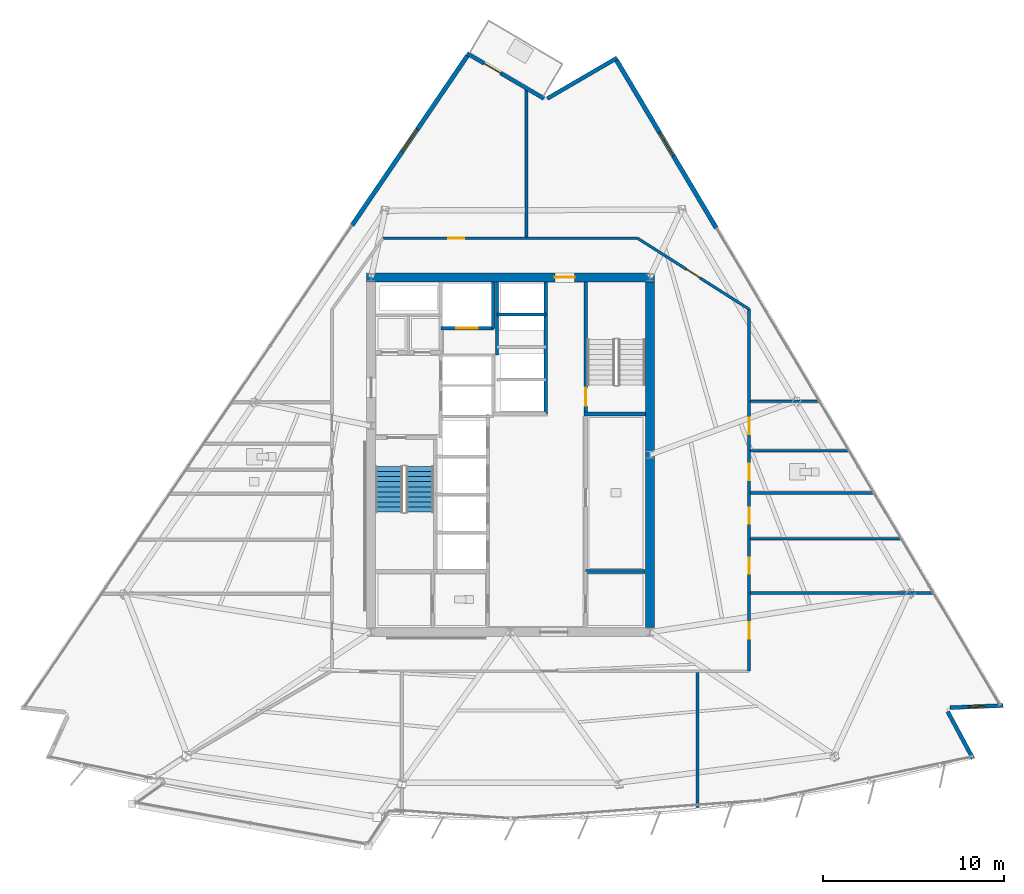
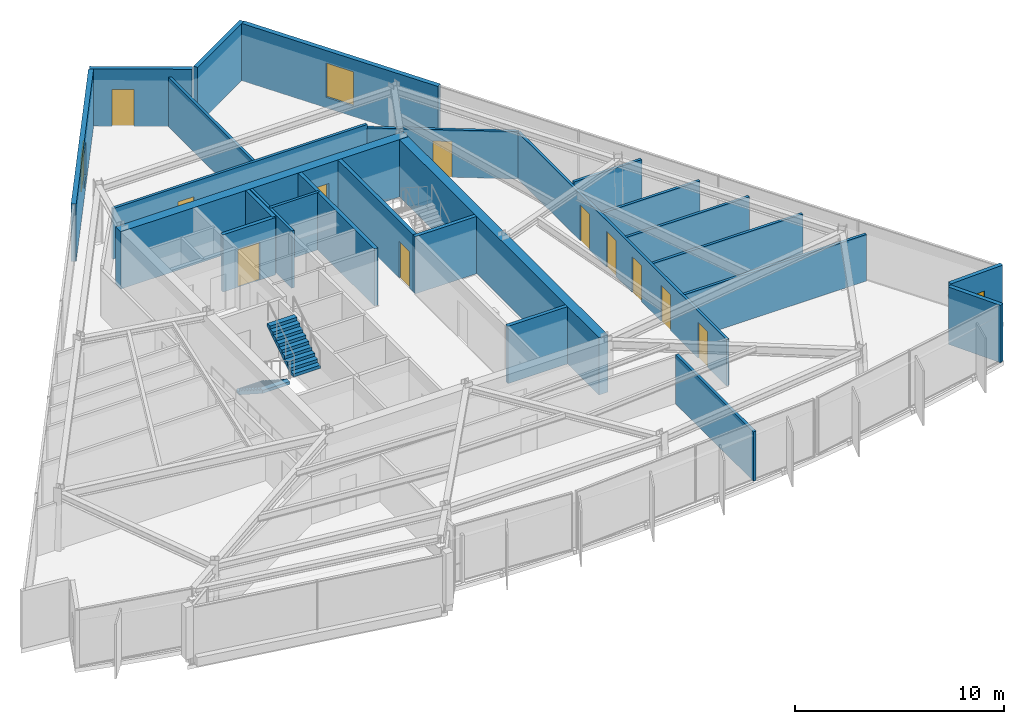
# One storey, part 10 of 16: 26 walls, 11 doors, 3 windows, 2 stair flights, 14 openings, 1 element without a shape of its own.
"""IFC4 building model written with IfcOpenShell, lengths in metres."""

from ifc_helpers import new_model, si_unit, direction, frame, frame_2d, origin, place, context, subcontext, project, spatial, polyline, rectangle, outline, extrude, material, layer, layer_set, type_object, element, fill, aggregate, save


model = new_model("IFC4")

# Units and contexts
model_context = context("Model", 3, precision=1e-05, world=origin(), true_north=direction((0.0, 1.0)))
body_context = subcontext(model_context, "Body", "Model", "MODEL_VIEW")
ifc_project = project(units=[si_unit("LENGTHUNIT", "METRE"), si_unit("AREAUNIT", "SQUARE_METRE"), si_unit("VOLUMEUNIT", "CUBIC_METRE"), si_unit("PLANEANGLEUNIT", "RADIAN"), si_unit("MASSUNIT", "GRAM", prefix="KILO")], contexts=[model_context])

# Site, building, storey
site_placement = place(None, origin())
site = spatial("IfcSite", under=ifc_project, at=site_placement, CompositionType="ELEMENT")
building_placement = place(site_placement, origin())
building = spatial("IfcBuilding", under=site, at=building_placement, Name="Savorim Split Tower", CompositionType="ELEMENT")
storey_placement = place(building_placement, frame((0.0, 0.0, 149.39990234375)))
storey = spatial("IfcBuildingStorey", under=building, at=storey_placement, Name="L39", CompositionType="ELEMENT", Elevation=149.39990234375)

# Wall, opening, door
ifc_material_1 = material(Name="Concrete C60/75", Category="concrete")
ifc_layer_1 = layer(ifc_material_1, 0.5)
ifc_layer_set_1 = layer_set([ifc_layer_1], Name="WAL-COR-SH500")
wall_type_1 = type_object("IfcWallType", Name="WAL-COR-SH500", PredefinedType="SHEAR", material=ifc_layer_set_1)
wall_1_placement = place(storey_placement, frame((7.949951171875, 10.199951171875, 0.0), z_axis=(0.0, 0.0, 1.0), x_axis=(-1.0, 0.0, 0.0)))
wall_1 = element("IfcWall", 1, at=wall_1_placement, inside=storey, type_object=wall_type_1, Name="L39 Offset Core North Shear Wall", PredefinedType="SHEAR", context=body_context, shape_type="SweptSolid", body=[
    extrude(rectangle(XDim=15.89990234375, YDim=0.5, at=frame_2d((7.949951171875, 0.0))), origin(), (0.0, 0.0, 1.0), 3.35009765625),
])
opening_1_placement = place(wall_1_placement, frame((4.39990234375, 0.0, 0.0)))
opening_1 = element("IfcOpeningElement", 2, at=opening_1_placement, cuts=wall_1, Name="Opening DI-03", PredefinedType="OPENING", context=body_context, shape_type="SweptSolid", body=[
    extrude(rectangle(XDim=1.10009765625, YDim=2.14990234375, at=frame_2d((0.550048828125, 1.074951171875))), frame((0.0, 0.260009765625, 0.0), z_axis=(0.0, -1.0, 0.0), x_axis=(1.0, 0.0, 0.0)), (0.0, 0.0, 1.0), 0.52001953125),
])
ifc_material_2 = material(Name="Timber Fire Door Leaf", Category="wood")
door_type_1 = type_object("IfcDoorType", Name="DOR-FIR-1100", OperationType="NOTDEFINED", PredefinedType="DOOR", material=ifc_material_2)
door_1_placement = place(opening_1_placement, origin())
door_1 = element("IfcDoor", 3, at=door_1_placement, inside=storey, type_object=door_type_1, Name="DOR-L39-COR-NLOB - L39 North Corridor Lobby Fire Door", OperationType="SINGLE_SWING_RIGHT", OverallHeight=2.14990234375, OverallWidth=1.10009765625, PredefinedType="DOOR", context=body_context, shape_type="SweptSolid", body=[
    extrude(rectangle(XDim=1.10009765625, YDim=2.14990234375, at=frame_2d((0.550048828125, 1.074951171875))), frame((0.0, 0.02490234375, 0.0), z_axis=(0.0, -1.0, 0.0), x_axis=(1.0, 0.0, 0.0)), (0.0, 0.0, 1.0), 0.050048828125),
])
fill(opening_1, door_1)

# Walls
wall_2_placement = place(storey_placement, frame((7.699951171875, 9.949951171875, 0.0), z_axis=(0.0, 0.0, 1.0), x_axis=(0.0, -1.0, 0.0)))
element("IfcWall", 4, at=wall_2_placement, inside=storey, type_object=wall_type_1, Name="L39 Offset Core East Shear Wall", PredefinedType="SHEAR", context=body_context, shape_type="SweptSolid", body=[
    extrude(rectangle(XDim=19.099853515625, YDim=0.5, at=frame_2d((9.5498046875, 0.0))), origin(), (0.0, 0.0, 1.0), 3.35009765625),
])
ifc_material_3 = material(Name="Precast concrete C40/50", Category="concrete")
ifc_layer_2 = layer(ifc_material_3, 0.219970703125)
ifc_layer_set_2 = layer_set([ifc_layer_2], Name="WAL-EXT-CRN220")
wall_type_2 = type_object("IfcWallType", Name="WAL-EXT-CRN220", PredefinedType="SOLIDWALL", material=ifc_layer_set_2)
wall_3_placement = place(storey_placement, frame((24.15478515625, -13.789794921875, 0.0), z_axis=(0.0, 0.0, 1.0), x_axis=(0.472795751791, -0.881172047383, 0.0)))
element("IfcWall", 5, at=wall_3_placement, inside=storey, type_object=wall_type_2, Name="L39 Notched Corner Facade Wall SE1", PredefinedType="SOLIDWALL", context=body_context, shape_type="SweptSolid", body=[
    extrude(rectangle(XDim=2.948486328125, YDim=0.219970703125, at=frame_2d((1.47412109375, 0.0))), origin(), (0.0, 0.0, 1.0), 3.35009765625),
])

# Wall, opening, window
wall_4_placement = place(storey_placement, frame((27.219482421875, -13.450927734375, 0.0), z_axis=(0.0, 0.0, 1.0), x_axis=(-0.999095615947, -0.042519997593, 0.0)))
wall_4 = element("IfcWall", 6, at=wall_4_placement, inside=storey, type_object=wall_type_2, Name="L39 Notched Corner Facade Wall SE", PredefinedType="SOLIDWALL", context=body_context, shape_type="SweptSolid", body=[
    extrude(rectangle(XDim=2.945556640625, YDim=0.219970703125, at=frame_2d((1.47265625, 0.0))), origin(), (0.0, 0.0, 1.0), 3.35009765625),
])
opening_2_placement = place(wall_4_placement, frame((1.022705078125, 0.0, 0.6201171875)))
opening_2 = element("IfcOpeningElement", 7, at=opening_2_placement, cuts=wall_4, Name="Opening WN-10", PredefinedType="OPENING", context=body_context, shape_type="SweptSolid", body=[
    extrude(rectangle(XDim=0.89990234375, YDim=1.60009765625, at=frame_2d((0.449951171875, 0.800048828125))), frame((0.0, 0.119873046875, 0.0), z_axis=(0.0, -1.0, 0.0), x_axis=(1.0, 0.0, 0.0)), (0.0, 0.0, 1.0), 0.239990234375),
])
ifc_material_4 = material(Name="Low-E Operable Double Glazing", Category="glass")
window_type_1 = type_object("IfcWindowType", Name="WIN-TWR-900x1600", PartitioningType="SINGLE_PANEL", PredefinedType="WINDOW", material=ifc_material_4)
window_1_placement = place(opening_2_placement, origin())
window_1 = element("IfcWindow", 8, at=window_1_placement, inside=storey, type_object=window_type_1, Name="L39 Operable Corner Window SE", OverallHeight=1.60009765625, OverallWidth=0.89990234375, PartitioningType="SINGLE_PANEL", PredefinedType="WINDOW", context=body_context, shape_type="SweptSolid", body=[
    extrude(rectangle(XDim=0.89990234375, YDim=1.60009765625, at=frame_2d((0.449951171875, 0.800048828125))), frame((0.0, 0.030029296875, 0.0), z_axis=(0.0, -1.0, 0.0), x_axis=(1.0, 0.0, 0.0)), (0.0, 0.0, 1.0), 0.06005859375),
])
fill(opening_2, window_1)

# Wall
wall_5_placement = place(storey_placement, frame((2.03857421875, 20.079345703125, 0.0), z_axis=(0.0, 0.0, 1.0), x_axis=(0.86398603623, 0.503515768571, 0.0)))
element("IfcWall", 9, at=wall_5_placement, inside=storey, type_object=wall_type_2, Name="L39 Notched Corner Facade Wall NE1", PredefinedType="SOLIDWALL", context=body_context, shape_type="SweptSolid", body=[
    extrude(rectangle(XDim=4.4443359375, YDim=0.219970703125, at=frame_2d((2.22216796875, 0.0))), origin(), (0.0, 0.0, 1.0), 3.35009765625),
])

# Wall, opening, door
wall_6_placement = place(storey_placement, frame((-2.384521484375, 22.5673828125, 0.0), z_axis=(0.0, 0.0, 1.0), x_axis=(0.8621258938, -0.506694131839, 0.0)))
wall_6 = element("IfcWall", 10, at=wall_6_placement, inside=storey, type_object=wall_type_2, Name="L39 Notched Corner Facade Wall N", PredefinedType="SOLIDWALL", context=body_context, shape_type="SweptSolid", body=[
    extrude(rectangle(XDim=4.909912109375, YDim=0.219970703125, at=frame_2d((2.455078125, 0.0))), origin(), (0.0, 0.0, 1.0), 3.35009765625),
])
opening_3_placement = place(wall_6_placement, frame((1.079833984375, 0.0, 0.0)))
opening_3 = element("IfcOpeningElement", 11, at=opening_3_placement, cuts=wall_6, Name="Opening DB-01", PredefinedType="OPENING", context=body_context, shape_type="SweptSolid", body=[
    extrude(rectangle(XDim=1.050048828125, YDim=2.14990234375, at=frame_2d((0.52490234375, 1.074951171875))), frame((0.0, 0.119873046875, 0.0), z_axis=(0.0, -1.0, 0.0), x_axis=(1.0, 0.0, 0.0)), (0.0, 0.0, 1.0), 0.239990234375),
])
ifc_material_5 = material(Name="Charcoal Anodised Aluminium", Category="aluminium")
door_type_2 = type_object("IfcDoorType", Name="DOR-BAL-1050", OperationType="NOTDEFINED", PredefinedType="DOOR", material=ifc_material_5)
door_2_placement = place(opening_3_placement, origin())
door_2 = element("IfcDoor", 12, at=door_2_placement, inside=storey, type_object=door_type_2, Name="DOR-L39-TBAL-N - L39 Planted Tree Balcony Door N", OperationType="SINGLE_SWING_RIGHT", OverallHeight=2.14990234375, OverallWidth=1.050048828125, PredefinedType="DOOR", context=body_context, shape_type="SweptSolid", body=[
    extrude(rectangle(XDim=1.050048828125, YDim=2.14990234375, at=frame_2d((0.52490234375, 1.074951171875))), frame((0.0, 0.02490234375, 0.0), z_axis=(0.0, -1.0, 0.0), x_axis=(1.0, 0.0, 0.0)), (0.0, 0.0, 1.0), 0.050048828125),
])
fill(opening_3, door_2)

# Wall, opening, window
ifc_layer_3 = layer(ifc_material_3, 0.25)
ifc_layer_set_3 = layer_set([ifc_layer_3], Name="WAL-EXT-SPN250")
wall_type_3 = type_object("IfcWallType", Name="WAL-EXT-SPN250", PredefinedType="SOLIDWALL", material=ifc_layer_set_3)
wall_7_placement = place(storey_placement, frame((5.86181640625, 22.1904296875, 0.0), z_axis=(0.0, 0.0, 1.0), x_axis=(0.511083986456, -0.859530778267, 0.0)))
wall_7 = element("IfcWall", 13, at=wall_7_placement, inside=storey, type_object=wall_type_3, Name="L39 East Operable Window Pier", PredefinedType="SOLIDWALL", context=body_context, shape_type="SweptSolid", body=[
    extrude(rectangle(XDim=10.778076171875, YDim=0.25, at=frame_2d((5.38916015625, 0.0))), origin(), (0.0, 0.0, 1.0), 3.35009765625),
])
opening_4_placement = place(wall_7_placement, frame((4.63916015625, 0.0, 0.6201171875)))
opening_4 = element("IfcOpeningElement", 14, at=opening_4_placement, cuts=wall_7, Name="Opening WN-06", PredefinedType="OPENING", context=body_context, shape_type="SweptSolid", body=[
    extrude(rectangle(XDim=1.5, YDim=2.0, at=frame_2d((0.75, 1.0))), frame((0.0, 0.135009765625, 0.0), z_axis=(0.0, -1.0, 0.0), x_axis=(1.0, 0.0, 0.0)), (0.0, 0.0, 1.0), 0.27001953125),
])
window_type_2 = type_object("IfcWindowType", Name="WIN-TWR-1500x2000", PartitioningType="SINGLE_PANEL", PredefinedType="WINDOW", material=ifc_material_4)
window_2_placement = place(opening_4_placement, origin())
window_2 = element("IfcWindow", 15, at=window_2_placement, inside=storey, type_object=window_type_2, Name="L39 East Operable Ventilation Window", OverallHeight=2.0, OverallWidth=1.5, PartitioningType="SINGLE_PANEL", PredefinedType="WINDOW", context=body_context, shape_type="SweptSolid", body=[
    extrude(rectangle(XDim=1.5, YDim=2.0, at=frame_2d((0.75, 1.0))), frame((0.0, 0.030029296875, 0.0), z_axis=(0.0, -1.0, 0.0), x_axis=(1.0, 0.0, 0.0)), (0.0, 0.0, 1.0), 0.06005859375),
])
fill(opening_4, window_2)

wall_8_placement = place(storey_placement, frame((-8.75048828125, 13.080810546875, 0.0), z_axis=(0.0, 0.0, 1.0), x_axis=(0.562463958751, 0.82682180372, 0.0)))
wall_8 = element("IfcWall", 16, at=wall_8_placement, inside=storey, type_object=wall_type_3, Name="L39 West Operable Window Pier", PredefinedType="SOLIDWALL", context=body_context, shape_type="SweptSolid", body=[
    extrude(rectangle(XDim=11.321533203125, YDim=0.25, at=frame_2d((5.66064453125, 0.0))), origin(), (0.0, 0.0, 1.0), 3.35009765625),
])
opening_5_placement = place(wall_8_placement, frame((4.91064453125, 0.0, 0.6201171875)))
opening_5 = element("IfcOpeningElement", 17, at=opening_5_placement, cuts=wall_8, Name="Opening WN-06", PredefinedType="OPENING", context=body_context, shape_type="SweptSolid", body=[
    extrude(rectangle(XDim=1.5, YDim=2.0, at=frame_2d((0.75, 1.0))), frame((0.0, 0.135009765625, 0.0), z_axis=(0.0, -1.0, 0.0), x_axis=(1.0, 0.0, 0.0)), (0.0, 0.0, 1.0), 0.27001953125),
])
window_3_placement = place(opening_5_placement, origin())
window_3 = element("IfcWindow", 18, at=window_3_placement, inside=storey, type_object=window_type_2, Name="L39 West Operable Ventilation Window", OverallHeight=2.0, OverallWidth=1.5, PartitioningType="SINGLE_PANEL", PredefinedType="WINDOW", context=body_context, shape_type="SweptSolid", body=[
    extrude(rectangle(XDim=1.5, YDim=2.0, at=frame_2d((0.75, 1.0))), frame((0.0, 0.030029296875, 0.0), z_axis=(0.0, -1.0, 0.0), x_axis=(1.0, 0.0, 0.0)), (0.0, 0.0, 1.0), 0.06005859375),
])
fill(opening_5, window_3)

# Wall, opening, door
ifc_material_6 = material(Name="Concrete C50/60", Category="concrete")
ifc_layer_4 = layer(ifc_material_6, 0.199951171875)
ifc_layer_set_4 = layer_set([ifc_layer_4], Name="WAL-INT-RC200")
wall_type_4 = type_object("IfcWallType", Name="WAL-INT-RC200", PredefinedType="SOLIDWALL", material=ifc_layer_set_4)
wall_9_placement = place(storey_placement, frame((4.14990234375, 2.75, 0.0), z_axis=(0.0, 0.0, 1.0), x_axis=(0.0, 1.0, 0.0)))
wall_9 = element("IfcWall", 19, at=wall_9_placement, inside=storey, type_object=wall_type_4, Name="L39 Structural Shaft Wall W-L39-CR07", PredefinedType="SOLIDWALL", context=body_context, shape_type="SweptSolid", body=[
    extrude(rectangle(XDim=7.199951171875, YDim=0.199951171875, at=frame_2d((3.60009765625, 0.0))), origin(), (0.0, 0.0, 1.0), 3.35009765625),
])
opening_6_placement = place(wall_9_placement, frame((0.35009765625, 0.0, 0.0)))
opening_6 = element("IfcOpeningElement", 20, at=opening_6_placement, cuts=wall_9, Name="Opening DI-04", PredefinedType="OPENING", context=body_context, shape_type="SweptSolid", body=[
    extrude(rectangle(XDim=1.0, YDim=2.14990234375, at=frame_2d((0.5, 1.074951171875))), frame((0.0, 0.10986328125, 0.0), z_axis=(0.0, -1.0, 0.0), x_axis=(1.0, 0.0, 0.0)), (0.0, 0.0, 1.0), 0.219970703125),
])
door_type_3 = type_object("IfcDoorType", Name="DOR-FIR-1000", OperationType="NOTDEFINED", PredefinedType="DOOR", material=ifc_material_2)
door_3_placement = place(opening_6_placement, origin())
door_3 = element("IfcDoor", 21, at=door_3_placement, inside=storey, type_object=door_type_3, Name="DR-L39-ST2 - L39 Stair ST-2 Enclosure Door", OperationType="SINGLE_SWING_RIGHT", OverallHeight=2.14990234375, OverallWidth=1.0, PredefinedType="DOOR", context=body_context, shape_type="SweptSolid", body=[
    extrude(rectangle(XDim=1.0, YDim=2.14990234375, at=frame_2d((0.5, 1.074951171875))), frame((0.0, 0.02490234375, 0.0), z_axis=(0.0, -1.0, 0.0), x_axis=(1.0, 0.0, 0.0)), (0.0, 0.0, 1.0), 0.050048828125),
])
fill(opening_6, door_3)

# Wall
wall_10_placement = place(storey_placement, frame((4.050048828125, 2.64990234375, 0.0), z_axis=(0.0, 0.0, 1.0), x_axis=(1.0, 0.0, 0.0)))
element("IfcWall", 22, at=wall_10_placement, inside=storey, type_object=wall_type_4, Name="L39 Structural Shaft Wall W-L39-CR08", PredefinedType="SOLIDWALL", context=body_context, shape_type="SweptSolid", body=[
    extrude(rectangle(XDim=3.39990234375, YDim=0.199951171875, at=frame_2d((1.699951171875, 0.0))), origin(), (0.0, 0.0, 1.0), 3.35009765625),
])

# Wall, opening, door
wall_11_placement = place(storey_placement, frame((-3.85009765625, 7.3798828125, 0.0), z_axis=(0.0, 0.0, 1.0), x_axis=(1.0, 0.0, 0.0)))
wall_11 = element("IfcWall", 23, at=wall_11_placement, inside=storey, type_object=wall_type_4, Name="L39 Partition W-L39-SVLS", PredefinedType="SOLIDWALL", context=body_context, shape_type="SweptSolid", body=[
    extrude(rectangle(XDim=2.900146484375, YDim=0.199951171875, at=frame_2d((1.4501953125, 0.0))), origin(), (0.0, 0.0, 1.0), 3.35009765625),
])
opening_7_placement = place(wall_11_placement, frame((0.85009765625, 0.0, 0.0)))
opening_7 = element("IfcOpeningElement", 24, at=opening_7_placement, cuts=wall_11, Name="Opening LD-SV", PredefinedType="OPENING", context=body_context, shape_type="SweptSolid", body=[
    extrude(rectangle(XDim=1.199951171875, YDim=2.199951171875, at=frame_2d((0.60009765625, 1.10009765625))), frame((0.0, 0.10986328125, 0.0), z_axis=(0.0, -1.0, 0.0), x_axis=(1.0, 0.0, 0.0)), (0.0, 0.0, 1.0), 0.219970703125),
])
door_type_4 = type_object("IfcDoorType", Name="DOR-SLD-SV1200", OperationType="NOTDEFINED", PredefinedType="DOOR", material=ifc_material_5)
door_4_placement = place(opening_7_placement, origin())
door_4 = element("IfcDoor", 25, at=door_4_placement, inside=storey, type_object=door_type_4, Name="DR-L39-LD-SVL1 - L39 Service Lift SVL-1 Sliding Landing Door", OperationType="DOUBLE_DOOR_SLIDING", OverallHeight=2.199951171875, OverallWidth=1.199951171875, PredefinedType="DOOR", context=body_context, shape_type="SweptSolid", body=[
    extrude(rectangle(XDim=1.199951171875, YDim=2.199951171875, at=frame_2d((0.60009765625, 1.10009765625))), frame((0.0, 0.02490234375, 0.0), z_axis=(0.0, -1.0, 0.0), x_axis=(1.0, 0.0, 0.0)), (0.0, 0.0, 1.0), 0.050048828125),
])
fill(opening_7, door_4)

# Walls
wall_12_placement = place(storey_placement, frame((-0.949951171875, 7.3798828125, 0.0), z_axis=(0.0, 0.0, 1.0), x_axis=(0.0, 1.0, 0.0)))
element("IfcWall", 26, at=wall_12_placement, inside=storey, type_object=wall_type_4, Name="L39 Partition W-L39-SVLE", PredefinedType="SOLIDWALL", context=body_context, shape_type="SweptSolid", body=[
    extrude(rectangle(XDim=2.565185546875, YDim=0.199951171875, at=frame_2d((1.28271484375, 0.0))), origin(), (0.0, 0.0, 1.0), 3.35009765625),
])
wall_13_placement = place(storey_placement, frame((1.949951171875, 2.64990234375, 0.0), z_axis=(0.0, 0.0, 1.0), x_axis=(0.0, 1.0, 0.0)))
element("IfcWall", 27, at=wall_13_placement, inside=storey, type_object=wall_type_4, Name="L39 Partition W-L39-B3FRONT", PredefinedType="SOLIDWALL", context=body_context, shape_type="SweptSolid", body=[
    extrude(rectangle(XDim=7.295166015625, YDim=0.199951171875, at=frame_2d((3.6474609375, 0.0))), origin(), (0.0, 0.0, 1.0), 3.35009765625),
])
wall_14_placement = place(storey_placement, frame((4.14990234375, -6.050048828125, 0.0), z_axis=(0.0, 0.0, 1.0), x_axis=(1.0, 0.0, 0.0)))
element("IfcWall", 28, at=wall_14_placement, inside=storey, type_object=wall_type_4, Name="L39 Partition W-L39-KSEP-E", PredefinedType="SOLIDWALL", context=body_context, shape_type="SweptSolid", body=[
    extrude(rectangle(XDim=3.295166015625, YDim=0.199951171875, at=frame_2d((1.6474609375, 0.0))), origin(), (0.0, 0.0, 1.0), 3.35009765625),
])
ifc_material_7 = material(Name="Acoustic Gypsum Partition Board")
ifc_layer_5 = layer(ifc_material_7, 0.14990234375)
ifc_layer_set_5 = layer_set([ifc_layer_5], Name="WAL-PAR-150")
wall_type_5 = type_object("IfcWallType", Name="WAL-PAR-150", PredefinedType="PARTITIONING", material=ifc_layer_set_5)
wall_15_placement = place(storey_placement, frame((-0.75, 5.919921875, 0.0), z_axis=(0.0, 0.0, 1.0), x_axis=(0.0, 1.0, 0.0)))
element("IfcWall", 29, at=wall_15_placement, inside=storey, type_object=wall_type_5, Name="L39 Partition W-L39-B3WEST", PredefinedType="PARTITIONING", context=body_context, shape_type="SweptSolid", body=[
    extrude(rectangle(XDim=4.025146484375, YDim=0.14990234375, at=frame_2d((2.0126953125, 0.0))), origin(), (0.0, 0.0, 1.0), 3.35009765625),
])
wall_16_placement = place(storey_placement, frame((-0.75, 8.14990234375, 0.0), z_axis=(0.0, 0.0, 1.0), x_axis=(1.0, 0.0, 0.0)))
element("IfcWall", 30, at=wall_16_placement, inside=storey, type_object=wall_type_5, Name="L39 Partition W-L39-B3DIV3", PredefinedType="PARTITIONING", context=body_context, shape_type="SweptSolid", body=[
    extrude(rectangle(XDim=2.699951171875, YDim=0.14990234375, at=frame_2d((1.35009765625, 0.0))), origin(), (0.0, 0.0, 1.0), 3.35009765625),
])

# Wall, opening, door
wall_17_placement = place(storey_placement, frame((-7.041015625, 12.360107421875, 0.0), z_axis=(0.0, 0.0, 1.0), x_axis=(1.0, 0.0, 0.0)))
wall_17 = element("IfcWall", 31, at=wall_17_placement, inside=storey, type_object=wall_type_5, Name="L39 Partition W-L39-COR-03", PredefinedType="PARTITIONING", context=body_context, shape_type="SweptSolid", body=[
    extrude(rectangle(XDim=14.064208984375, YDim=0.14990234375, at=frame_2d((7.0322265625, 0.0))), origin(), (0.0, 0.0, 1.0), 2.965087890625),
])
opening_8_placement = place(wall_17_placement, frame((3.59912109375, 0.0, 0.0)))
opening_8 = element("IfcOpeningElement", 32, at=opening_8_placement, cuts=wall_17, Name="Opening DI-06", PredefinedType="OPENING", context=body_context, shape_type="SweptSolid", body=[
    extrude(rectangle(XDim=0.89990234375, YDim=2.10009765625, at=frame_2d((0.449951171875, 1.050048828125))), frame((0.0, 0.0849609375, 0.0), z_axis=(0.0, -1.0, 0.0), x_axis=(1.0, 0.0, 0.0)), (0.0, 0.0, 1.0), 0.169921875),
])
door_type_5 = type_object("IfcDoorType", Name="DOR-FIR-900", OperationType="NOTDEFINED", PredefinedType="DOOR", material=ifc_material_2)
door_5_placement = place(opening_8_placement, origin())
door_5 = element("IfcDoor", 33, at=door_5_placement, inside=storey, type_object=door_type_5, Name="DR-L39-RM14 - L39 Co-Working Commons Entry Door", OperationType="SINGLE_SWING_LEFT", OverallHeight=2.10009765625, OverallWidth=0.89990234375, PredefinedType="DOOR", context=body_context, shape_type="SweptSolid", body=[
    extrude(rectangle(XDim=0.89990234375, YDim=2.10009765625, at=frame_2d((0.449951171875, 1.050048828125))), frame((0.0, 0.02490234375, 0.0), z_axis=(0.0, -1.0, 0.0), x_axis=(1.0, 0.0, 0.0)), (0.0, 0.0, 1.0), 0.050048828125),
])
fill(opening_8, door_5)

wall_18_placement = place(storey_placement, frame((7.023193359375, 12.360107421875, 0.0), z_axis=(0.0, 0.0, 1.0), x_axis=(0.84376480085, -0.536713108511, 0.0)))
wall_18 = element("IfcWall", 34, at=wall_18_placement, inside=storey, type_object=wall_type_5, Name="L39 Partition W-L39-COR-04", PredefinedType="PARTITIONING", context=body_context, shape_type="SweptSolid", body=[
    extrude(rectangle(XDim=7.296630859375, YDim=0.14990234375, at=frame_2d((3.6484375, 0.0))), origin(), (0.0, 0.0, 1.0), 2.775146484375),
])
opening_9_placement = place(wall_18_placement, frame((3.1982421875, 0.0, 0.0)))
opening_9 = element("IfcOpeningElement", 35, at=opening_9_placement, cuts=wall_18, Name="Opening DI-06", PredefinedType="OPENING", context=body_context, shape_type="SweptSolid", body=[
    extrude(rectangle(XDim=0.89990234375, YDim=2.10009765625, at=frame_2d((0.449951171875, 1.050048828125))), frame((0.0, 0.0849609375, 0.0), z_axis=(0.0, -1.0, 0.0), x_axis=(1.0, 0.0, 0.0)), (0.0, 0.0, 1.0), 0.169921875),
])
door_6_placement = place(opening_9_placement, origin())
door_6 = element("IfcDoor", 36, at=door_6_placement, inside=storey, type_object=door_type_5, Name="DR-L39-RM13 - L39 Co-Working Commons Entry Door", OperationType="SINGLE_SWING_RIGHT", OverallHeight=2.10009765625, OverallWidth=0.89990234375, PredefinedType="DOOR", context=body_context, shape_type="SweptSolid", body=[
    extrude(rectangle(XDim=0.89990234375, YDim=2.10009765625, at=frame_2d((0.449951171875, 1.050048828125))), frame((0.0, 0.02490234375, 0.0), z_axis=(0.0, -1.0, 0.0), x_axis=(1.0, 0.0, 0.0)), (0.0, 0.0, 1.0), 0.050048828125),
])
fill(opening_9, door_6)

# Wall, openings, doors
wall_19_placement = place(storey_placement, frame((13.179931640625, 8.44384765625, 0.0), z_axis=(0.0, 0.0, 1.0), x_axis=(0.0, -1.0, 0.0)))
wall_19 = element("IfcWall", 37, at=wall_19_placement, inside=storey, type_object=wall_type_5, Name="L39 Partition W-L39-COR-05", PredefinedType="PARTITIONING", context=body_context, shape_type="SweptSolid", body=[
    extrude(rectangle(XDim=20.00390625, YDim=0.14990234375, at=frame_2d((10.001953125, 0.0))), origin(), (0.0, 0.0, 1.0), 2.72509765625),
])
opening_10_placement = place(wall_19_placement, frame((17.30322265625, 0.0, 0.0)))
opening_10 = element("IfcOpeningElement", 38, at=opening_10_placement, cuts=wall_19, Name="Opening DI-06", PredefinedType="OPENING", context=body_context, shape_type="SweptSolid", body=[
    extrude(rectangle(XDim=0.89990234375, YDim=2.10009765625, at=frame_2d((0.449951171875, 1.050048828125))), frame((0.0, 0.0849609375, 0.0), z_axis=(0.0, -1.0, 0.0), x_axis=(1.0, 0.0, 0.0)), (0.0, 0.0, 1.0), 0.169921875),
])
opening_11_placement = place(wall_19_placement, frame((13.7314453125, 0.0, 0.0)))
opening_11 = element("IfcOpeningElement", 39, at=opening_11_placement, cuts=wall_19, Name="Opening DI-06", PredefinedType="OPENING", context=body_context, shape_type="SweptSolid", body=[
    extrude(rectangle(XDim=0.89990234375, YDim=2.10009765625, at=frame_2d((0.449951171875, 1.050048828125))), frame((0.0, 0.0849609375, 0.0), z_axis=(0.0, -1.0, 0.0), x_axis=(1.0, 0.0, 0.0)), (0.0, 0.0, 1.0), 0.169921875),
])
opening_12_placement = place(wall_19_placement, frame((10.966796875, 0.0, 0.0)))
opening_12 = element("IfcOpeningElement", 40, at=opening_12_placement, cuts=wall_19, Name="Opening DI-06", PredefinedType="OPENING", context=body_context, shape_type="SweptSolid", body=[
    extrude(rectangle(XDim=0.89990234375, YDim=2.10009765625, at=frame_2d((0.449951171875, 1.050048828125))), frame((0.0, 0.0849609375, 0.0), z_axis=(0.0, -1.0, 0.0), x_axis=(1.0, 0.0, 0.0)), (0.0, 0.0, 1.0), 0.169921875),
])
opening_13_placement = place(wall_19_placement, frame((8.539794921875, 0.0, 0.0)))
opening_13 = element("IfcOpeningElement", 41, at=opening_13_placement, cuts=wall_19, Name="Opening DI-11", PredefinedType="OPENING", context=body_context, shape_type="SweptSolid", body=[
    extrude(rectangle(XDim=0.89990234375, YDim=2.10009765625, at=frame_2d((0.449951171875, 1.050048828125))), frame((0.0, 0.0849609375, 0.0), z_axis=(0.0, -1.0, 0.0), x_axis=(1.0, 0.0, 0.0)), (0.0, 0.0, 1.0), 0.169921875),
])
opening_14_placement = place(wall_19_placement, frame((6.00927734375, 0.0, 0.0)))
opening_14 = element("IfcOpeningElement", 42, at=opening_14_placement, cuts=wall_19, Name="Opening DI-06", PredefinedType="OPENING", context=body_context, shape_type="SweptSolid", body=[
    extrude(rectangle(XDim=0.89990234375, YDim=2.10009765625, at=frame_2d((0.449951171875, 1.050048828125))), frame((0.0, 0.0849609375, 0.0), z_axis=(0.0, -1.0, 0.0), x_axis=(1.0, 0.0, 0.0)), (0.0, 0.0, 1.0), 0.169921875),
])
door_7_placement = place(opening_10_placement, origin())
door_7 = element("IfcDoor", 43, at=door_7_placement, inside=storey, type_object=door_type_5, Name="DR-L39-RM08 - L39 Co-Working Commons Entry Door", OperationType="SINGLE_SWING_LEFT", OverallHeight=2.10009765625, OverallWidth=0.89990234375, PredefinedType="DOOR", context=body_context, shape_type="SweptSolid", body=[
    extrude(rectangle(XDim=0.89990234375, YDim=2.10009765625, at=frame_2d((0.449951171875, 1.050048828125))), frame((0.0, 0.02490234375, 0.0), z_axis=(0.0, -1.0, 0.0), x_axis=(1.0, 0.0, 0.0)), (0.0, 0.0, 1.0), 0.050048828125),
])
fill(opening_10, door_7)
door_8_placement = place(opening_11_placement, origin())
door_8 = element("IfcDoor", 44, at=door_8_placement, inside=storey, type_object=door_type_5, Name="DR-L39-RM09 - L39 Co-Working Commons Entry Door", OperationType="SINGLE_SWING_RIGHT", OverallHeight=2.10009765625, OverallWidth=0.89990234375, PredefinedType="DOOR", context=body_context, shape_type="SweptSolid", body=[
    extrude(rectangle(XDim=0.89990234375, YDim=2.10009765625, at=frame_2d((0.449951171875, 1.050048828125))), frame((0.0, 0.02490234375, 0.0), z_axis=(0.0, -1.0, 0.0), x_axis=(1.0, 0.0, 0.0)), (0.0, 0.0, 1.0), 0.050048828125),
])
fill(opening_11, door_8)
door_9_placement = place(opening_12_placement, origin())
door_9 = element("IfcDoor", 45, at=door_9_placement, inside=storey, type_object=door_type_5, Name="DR-L39-RM10 - L39 Co-Working Commons Entry Door", OperationType="SINGLE_SWING_LEFT", OverallHeight=2.10009765625, OverallWidth=0.89990234375, PredefinedType="DOOR", context=body_context, shape_type="SweptSolid", body=[
    extrude(rectangle(XDim=0.89990234375, YDim=2.10009765625, at=frame_2d((0.449951171875, 1.050048828125))), frame((0.0, 0.02490234375, 0.0), z_axis=(0.0, -1.0, 0.0), x_axis=(1.0, 0.0, 0.0)), (0.0, 0.0, 1.0), 0.050048828125),
])
fill(opening_12, door_9)
door_10_placement = place(opening_14_placement, origin())
door_10 = element("IfcDoor", 46, at=door_10_placement, inside=storey, type_object=door_type_5, Name="DR-L39-RM12 - L39 Quiet Study Room Entry Door", OperationType="SINGLE_SWING_LEFT", OverallHeight=2.10009765625, OverallWidth=0.89990234375, PredefinedType="DOOR", context=body_context, shape_type="SweptSolid", body=[
    extrude(rectangle(XDim=0.89990234375, YDim=2.10009765625, at=frame_2d((0.449951171875, 1.050048828125))), frame((0.0, 0.02490234375, 0.0), z_axis=(0.0, -1.0, 0.0), x_axis=(1.0, 0.0, 0.0)), (0.0, 0.0, 1.0), 0.050048828125),
])
fill(opening_14, door_10)
ifc_material_8 = material(Name="Oak Veneer Acoustic Door")
door_type_6 = type_object("IfcDoorType", Name="DOR-WC-900", OperationType="NOTDEFINED", PredefinedType="DOOR", material=ifc_material_8)
door_11_placement = place(opening_13_placement, origin())
door_11 = element("IfcDoor", 47, at=door_11_placement, inside=storey, type_object=door_type_6, Name="DR-L39-RM11 - L39 Shared Bathroom Entry Door", OperationType="SINGLE_SWING_RIGHT", OverallHeight=2.10009765625, OverallWidth=0.89990234375, PredefinedType="DOOR", context=body_context, shape_type="SweptSolid", body=[
    extrude(rectangle(XDim=0.89990234375, YDim=2.10009765625, at=frame_2d((0.449951171875, 1.050048828125))), frame((0.0, 0.02490234375, 0.0), z_axis=(0.0, -1.0, 0.0), x_axis=(1.0, 0.0, 0.0)), (0.0, 0.0, 1.0), 0.050048828125),
])
fill(opening_13, door_11)

# Walls
wall_20_placement = place(storey_placement, frame((13.239990234375, -7.23681640625, 0.0), z_axis=(0.0, 0.0, 1.0), x_axis=(1.0, 0.0, 0.0)))
element("IfcWall", 48, at=wall_20_placement, inside=storey, type_object=wall_type_5, Name="L39 Partition W-L39-PRAD05", PredefinedType="PARTITIONING", context=body_context, shape_type="SweptSolid", body=[
    extrude(rectangle(XDim=10.0615234375, YDim=0.14990234375, at=frame_2d((5.03076171875, 0.0))), origin(), (0.0, 0.0, 1.0), 2.72509765625),
])
wall_21_placement = place(storey_placement, frame((13.239990234375, 3.353515625, 0.0), z_axis=(0.0, 0.0, 1.0), x_axis=(1.0, 0.0, 0.0)))
element("IfcWall", 49, at=wall_21_placement, inside=storey, type_object=wall_type_5, Name="L39 Partition W-L39-PRAD06", PredefinedType="PARTITIONING", context=body_context, shape_type="SweptSolid", body=[
    extrude(rectangle(XDim=3.764404296875, YDim=0.14990234375, at=frame_2d((1.88232421875, 0.0))), origin(), (0.0, 0.0, 1.0), 2.885009765625),
])
wall_22_placement = place(storey_placement, frame((13.239990234375, -1.707763671875, 0.0), z_axis=(0.0, 0.0, 1.0), x_axis=(1.0, 0.0, 0.0)))
element("IfcWall", 50, at=wall_22_placement, inside=storey, type_object=wall_type_5, Name="L39 Partition W-L39-SUB02", PredefinedType="PARTITIONING", context=body_context, shape_type="SweptSolid", body=[
    extrude(rectangle(XDim=6.77392578125, YDim=0.14990234375, at=frame_2d((3.386962890625, 0.0))), origin(), (0.0, 0.0, 1.0), 2.72509765625),
])
wall_23_placement = place(storey_placement, frame((10.33251953125, -11.6201171875, 0.0), z_axis=(0.0, 0.0, 1.0), x_axis=(0.0, -1.0, 0.0)))
element("IfcWall", 51, at=wall_23_placement, inside=storey, type_object=wall_type_5, Name="L39 Partition W-L39-SUB04", PredefinedType="PARTITIONING", context=body_context, shape_type="SweptSolid", body=[
    extrude(rectangle(XDim=7.459228515625, YDim=0.14990234375, at=frame_2d((3.7294921875, 0.0))), origin(), (0.0, 0.0, 1.0), 2.885009765625),
])
wall_24_placement = place(storey_placement, frame((13.239990234375, -4.23828125, 0.0), z_axis=(0.0, 0.0, 1.0), x_axis=(1.0, 0.0, 0.0)))
element("IfcWall", 52, at=wall_24_placement, inside=storey, type_object=wall_type_5, Name="L39 Partition W-L39-SUB05", PredefinedType="PARTITIONING", context=body_context, shape_type="SweptSolid", body=[
    extrude(rectangle(XDim=8.278564453125, YDim=0.14990234375, at=frame_2d((4.13916015625, 0.0))), origin(), (0.0, 0.0, 1.0), 2.72509765625),
])
wall_25_placement = place(storey_placement, frame((13.239990234375, 0.615966796875, 0.0), z_axis=(0.0, 0.0, 1.0), x_axis=(0.999999998975, -4.5277551e-05, 0.0)))
element("IfcWall", 53, at=wall_25_placement, inside=storey, type_object=wall_type_5, Name="L39 Partition W-L39-SUB06", PredefinedType="PARTITIONING", context=body_context, shape_type="SweptSolid", body=[
    extrude(rectangle(XDim=5.39208984375, YDim=0.14990234375, at=frame_2d((2.696044921875, 0.0))), origin(), (0.0, 0.0, 1.0), 2.72509765625),
])
wall_26_placement = place(storey_placement, frame((0.87890625, 12.419921875, 0.0), z_axis=(0.0, 0.0, 1.0), x_axis=(0.0, 1.0, 0.0)))
element("IfcWall", 54, at=wall_26_placement, inside=storey, type_object=wall_type_5, Name="L39 Partition W-L39-SUB07", PredefinedType="PARTITIONING", context=body_context, shape_type="SweptSolid", body=[
    extrude(rectangle(XDim=8.17138671875, YDim=0.14990234375, at=frame_2d((4.085693359375, 0.0))), origin(), (0.0, 0.0, 1.0), 2.885009765625),
])

# Stair, stair flights
stair_type = type_object("IfcStairType", Name="STR-DOG-3600", PredefinedType="HALF_TURN_STAIR", material=ifc_material_6)
stair_placement = place(storey_placement, origin())
stair = element("IfcStair", 55, at=stair_placement, inside=storey, type_object=stair_type, Name="L39 Core Protected Exit Stair ST-1", PredefinedType="HALF_TURN_STAIR")
stair_flight_type = type_object("IfcStairFlightType", Name="SFL-DOG-3600", PredefinedType="STRAIGHT", material=ifc_material_6)
stair_flight_1_placement = place(storey_placement, frame((-6.699951171875, -0.25, 0.0), z_axis=(0.0, 0.0, 1.0), x_axis=(0.0, -1.0, 0.0)))
stair_flight_1 = element("IfcStairFlight", 56, at=stair_flight_1_placement, type_object=stair_flight_type, Name="ST-1 flight 1", NumberOfRisers=10, NumberOfTreads=9, PredefinedType="STRAIGHT", RiserHeight=0.18, TreadLength=0.28, context=body_context, shape_type="SweptSolid", body=[
    extrude(outline(polyline([(0.0, 0.0), (0.0, 0.179931640625), (0.280029296875, 0.179931640625), (0.280029296875, 0.360107421875), (0.56005859375, 0.360107421875), (0.56005859375, 0.5400390625), (0.840087890625, 0.5400390625), (0.840087890625, 0.719970703125), (1.1201171875, 0.719970703125), (1.1201171875, 0.89990234375), (1.39990234375, 0.89990234375), (1.39990234375, 1.080078125), (1.679931640625, 1.080078125), (1.679931640625, 1.260009765625), (1.9599609375, 1.260009765625), (1.9599609375, 1.43994140625), (2.239990234375, 1.43994140625), (2.239990234375, 1.6201171875), (2.52001953125, 1.6201171875), (2.52001953125, 1.800048828125), (2.52001953125, 1.44189453125), (0.277099609375, 0.0), (0.0, 0.0)])), frame((0.0, 0.75, 0.0), z_axis=(0.0, -1.0, 0.0), x_axis=(1.0, 0.0, 0.0)), (0.0, 0.0, 1.0), 1.5),
])
stair_flight_2_placement = place(storey_placement, frame((-5.0, -2.77001953125, 1.800048828125), z_axis=(0.0, 0.0, 1.0), x_axis=(0.0, 1.0, 0.0)))
stair_flight_2 = element("IfcStairFlight", 57, at=stair_flight_2_placement, type_object=stair_flight_type, Name="ST-1 flight 2", NumberOfRisers=10, NumberOfTreads=9, PredefinedType="STRAIGHT", RiserHeight=0.18, TreadLength=0.28, context=body_context, shape_type="SweptSolid", body=[
    extrude(outline(polyline([(0.0, 0.0), (0.0, 0.179931640625), (0.280029296875, 0.179931640625), (0.280029296875, 0.360107421875), (0.56005859375, 0.360107421875), (0.56005859375, 0.5400390625), (0.840087890625, 0.5400390625), (0.840087890625, 0.719970703125), (1.1201171875, 0.719970703125), (1.1201171875, 0.89990234375), (1.39990234375, 0.89990234375), (1.39990234375, 1.080078125), (1.679931640625, 1.080078125), (1.679931640625, 1.260009765625), (1.9599609375, 1.260009765625), (1.9599609375, 1.43994140625), (2.239990234375, 1.43994140625), (2.239990234375, 1.6201171875), (2.52001953125, 1.6201171875), (2.52001953125, 1.800048828125), (2.52001953125, 1.44189453125), (0.277099609375, 0.0), (0.0, 0.0)])), frame((0.0, 0.75, 0.0), z_axis=(0.0, -1.0, 0.0), x_axis=(1.0, 0.0, 0.0)), (0.0, 0.0, 1.0), 1.5),
])
aggregate(stair, [stair_flight_1, stair_flight_2])

save(model, "model.ifc")
